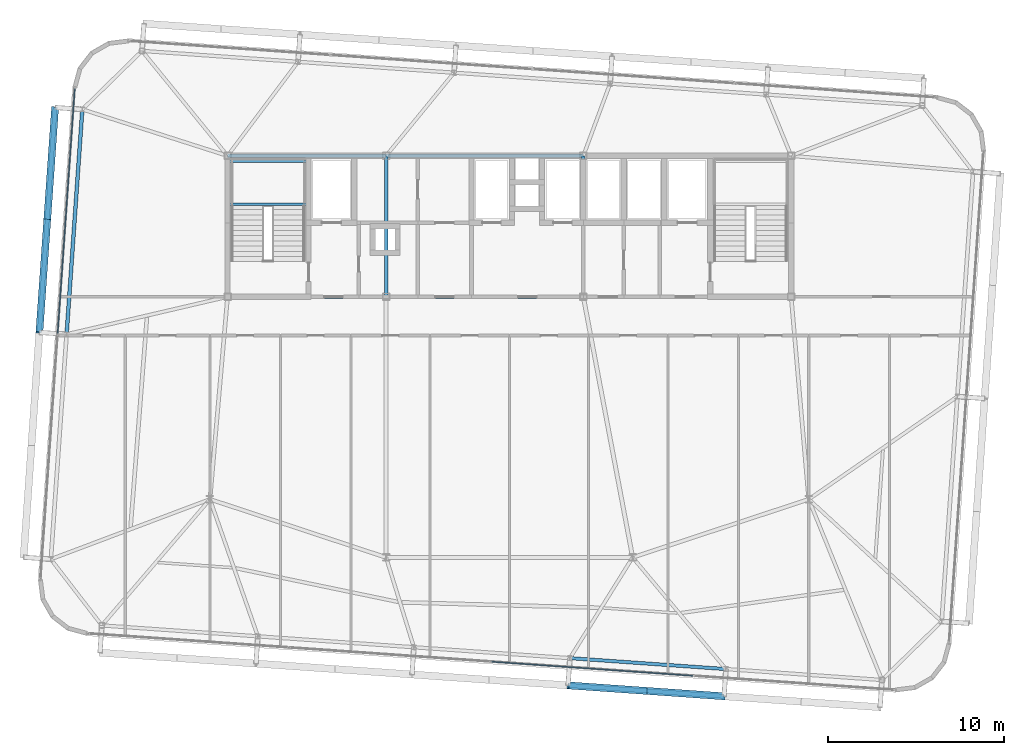
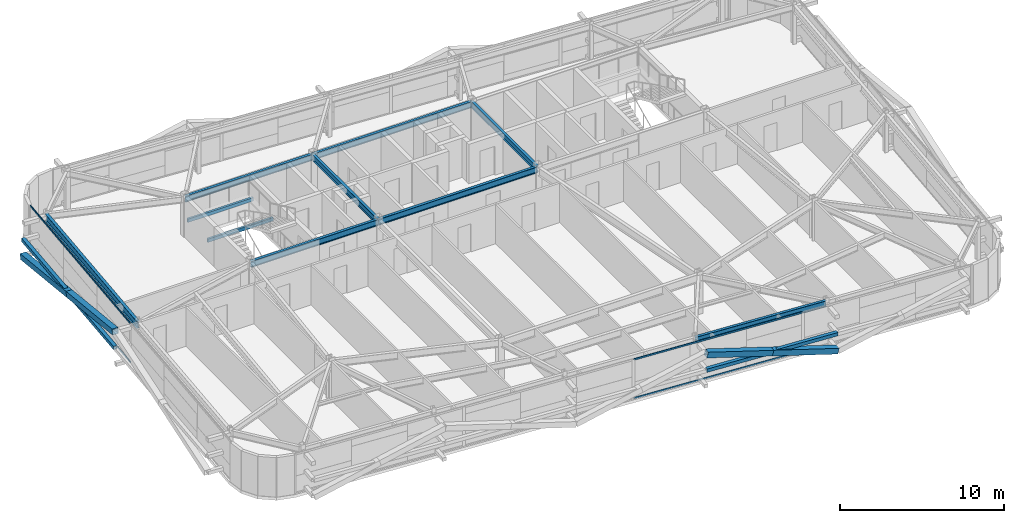
# One storey, part 12 of 39: 10 beams, 10 members, 2 elements without a shape of their own.
"""IFC4 building model written with IfcOpenShell, lengths in metres."""

from ifc_helpers import new_model, si_unit, direction, frame, origin, origin_2d, place, context, subcontext, project, spatial, hollow_rectangle, i_section, extrude, source, transform, mapped, material, layer, layer_set, material_profile, profile_set, type_object, element, aggregate, save


model = new_model("IFC4")

# Units and contexts
model_context = context("Model", 3, precision=1e-05, world=origin(), true_north=direction((0.0, 1.0)))
body_context = subcontext(model_context, "Body", "Model", "MODEL_VIEW")
ifc_project = project(units=[si_unit("LENGTHUNIT", "METRE"), si_unit("AREAUNIT", "SQUARE_METRE"), si_unit("VOLUMEUNIT", "CUBIC_METRE"), si_unit("PLANEANGLEUNIT", "RADIAN"), si_unit("MASSUNIT", "GRAM", prefix="KILO")], contexts=[model_context])

# Site, building, storey
site_placement = place(None, origin())
site = spatial("IfcSite", under=ifc_project, at=site_placement, CompositionType="ELEMENT")
building_placement = place(site_placement, origin())
building = spatial("IfcBuilding", under=site, at=building_placement, Name="Taldren Reach Tower", CompositionType="ELEMENT")
storey_placement = place(building_placement, frame((0.0, 0.0, 158.199951171875)))
storey = spatial("IfcBuildingStorey", under=building, at=storey_placement, Name="L48", CompositionType="ELEMENT", Elevation=158.199951171875)

# Beams
ifc_material_1 = material(Name="Steel Gr 350 (350PLUS)", Category="steel")
ifc_material_profile_1 = material_profile(ifc_material_1, i_section(OverallWidth=0.19091796875, OverallDepth=0.4599609375, WebThickness=0.010009765625, FlangeThickness=0.01611328125, at=origin_2d()), Name="460UB82.1")
ifc_profile_set_1 = profile_set([ifc_material_profile_1], Name="Steel Gr 350 (350PLUS)")
beam_type_1 = type_object("IfcBeamType", Name="BM-UB460A", PredefinedType="BEAM", material=ifc_profile_set_1)
shared_shape_1 = source(origin(), body_context, "Body", "SweptSolid", [
    extrude(i_section(OverallWidth=0.19091796875, OverallDepth=0.4599609375, WebThickness=0.010009765625, FlangeThickness=0.01611328125, at=origin_2d()), origin(), (0.0, 0.0, 1.0), 9.0),
])
for number, where, z_axis, x_axis, name in (
    (1, (19.0, 24.0, 2.699951171875), (1.0, 0.0, 0.0), (0.0, 1.0, 0.0), "Core-spine girder L48-SP01"),
    (2, (19.0, 32.0, 2.699951171875), (1.0, 0.0, 0.0), (0.0, 1.0, 0.0), "Core-spine girder L48-SP04"),
):
    element("IfcBeam", number, at=place(storey_placement, frame(where, z_axis=z_axis, x_axis=x_axis)), inside=storey, type_object=beam_type_1, Name=name, PredefinedType="BEAM", context=body_context, shape_type="MappedRepresentation", body=[
        mapped(shared_shape_1, transform((0.0, 0.0, 0.0), scale=1.0)),
    ])
shared_shape_2 = source(origin(), body_context, "Body", "SweptSolid", [
    extrude(i_section(OverallWidth=0.19091796875, OverallDepth=0.4599609375, WebThickness=0.010009765625, FlangeThickness=0.01611328125, at=origin_2d()), origin(), (0.0, 0.0, 1.0), 11.199951171875),
])
for number, where, z_axis, x_axis, name in (
    (3, (28.0, 24.0, 2.699951171875), (1.0, 0.0, 0.0), (0.0, 1.0, 0.0), "Core-spine girder L48-SP02"),
    (4, (28.0, 32.0, 2.699951171875), (1.0, 0.0, 0.0), (0.0, 1.0, 0.0), "Core-spine girder L48-SP05"),
):
    element("IfcBeam", number, at=place(storey_placement, frame(where, z_axis=z_axis, x_axis=x_axis)), inside=storey, type_object=beam_type_1, Name=name, PredefinedType="BEAM", context=body_context, shape_type="MappedRepresentation", body=[
        mapped(shared_shape_2, transform((0.0, 0.0, 0.0), scale=1.0)),
    ])
shared_shape_3 = source(origin(), body_context, "Body", "SweptSolid", [
    extrude(i_section(OverallWidth=0.19091796875, OverallDepth=0.4599609375, WebThickness=0.010009765625, FlangeThickness=0.01611328125, at=origin_2d()), origin(), (0.0, 0.0, 1.0), 8.0),
])
for number, where, z_axis, x_axis, name in (
    (5, (28.0, 24.0, 2.699951171875), (0.0, 1.0, 0.0), (-1.0, 0.0, 0.0), "Core-spine girder L48-SP07"),
    (6, (39.199951171875, 24.0, 2.699951171875), (0.0, 1.0, 0.0), (-1.0, 0.0, 0.0), "Core-spine girder L48-SP08"),
):
    element("IfcBeam", number, at=place(storey_placement, frame(where, z_axis=z_axis, x_axis=x_axis)), inside=storey, type_object=beam_type_1, Name=name, PredefinedType="BEAM", context=body_context, shape_type="MappedRepresentation", body=[
        mapped(shared_shape_3, transform((0.0, 0.0, 0.0), scale=1.0)),
    ])
ifc_material_profile_2 = material_profile(ifc_material_1, i_section(OverallWidth=0.18994140625, OverallDepth=0.4541015625, WebThickness=0.008544921875, FlangeThickness=0.0126953125, at=origin_2d()), Name="460UB67.1")
ifc_profile_set_2 = profile_set([ifc_material_profile_2], Name="Steel Gr 350 (350PLUS)")
beam_type_2 = type_object("IfcBeamType", Name="SP-UB460B", PredefinedType="SPANDREL", material=ifc_profile_set_2)
shared_shape_4 = source(origin(), body_context, "Body", "SweptSolid", [
    extrude(i_section(OverallWidth=0.18994140625, OverallDepth=0.4541015625, WebThickness=0.008544921875, FlangeThickness=0.0126953125, at=origin_2d()), origin(), (0.0, 0.0, 1.0), 8.880126953125),
])
beam_1_placement = place(storey_placement, frame((38.438720703125, 3.480224609375, 2.703125), z_axis=(0.997562566276, -0.06977769246, 0.0), x_axis=(0.06977769246, 0.997562566276, 0.0)))
element("IfcBeam", 7, at=beam_1_placement, inside=storey, type_object=beam_type_2, Name="Perimeter spandrel B3 S4-S5 L48", PredefinedType="SPANDREL", context=body_context, shape_type="MappedRepresentation", body=[
    mapped(shared_shape_4, transform((0.0, 0.0, 0.0), scale=1.0)),
])
ifc_material_profile_3 = material_profile(ifc_material_1, i_section(OverallWidth=0.208984375, OverallDepth=0.528076171875, WebThickness=0.009521484375, FlangeThickness=0.01318359375, at=origin_2d()), Name="530UB82.0")
ifc_profile_set_3 = profile_set([ifc_material_profile_3], Name="Steel Gr 350 (350PLUS)")
beam_type_3 = type_object("IfcBeamType", Name="SP-UB530B", PredefinedType="SPANDREL", material=ifc_profile_set_3)
shared_shape_5 = source(origin(), body_context, "Body", "SweptSolid", [
    extrude(i_section(OverallWidth=0.208984375, OverallDepth=0.528076171875, WebThickness=0.009521484375, FlangeThickness=0.01318359375, at=origin_2d()), origin(), (0.0, 0.0, 1.0), 12.800048828125),
])
beam_2_placement = place(storey_placement, frame((10.754638671875, 34.63720703125, 2.666015625), z_axis=(-0.069751876777, -0.9975643717, 0.0), x_axis=(0.9975643717, -0.069751876777, 0.0)))
element("IfcBeam", 8, at=beam_2_placement, inside=storey, type_object=beam_type_3, Name="Perimeter spandrel B3 W3-W2 L48", PredefinedType="SPANDREL", context=body_context, shape_type="MappedRepresentation", body=[
    mapped(shared_shape_5, transform((0.0, 0.0, 0.0), scale=1.0)),
])

# Members
ifc_material_2 = material(Name="Steel Gr 350 (C350L0)", Category="steel")
ifc_material_profile_4 = material_profile(ifc_material_2, hollow_rectangle(XDim=0.25, YDim=0.25, WallThickness=0.010009765625, at=origin_2d()), Name="250x250x10.0SHS")
ifc_profile_set_4 = profile_set([ifc_material_profile_4], Name="Steel Gr 350 (C350L0)")
member_type_1 = type_object("IfcMemberType", Name="MB-POST250", PredefinedType="POST", material=ifc_profile_set_4)
shared_shape_6 = source(origin(), body_context, "Body", "SweptSolid", [
    extrude(hollow_rectangle(XDim=0.25, YDim=0.25, WallThickness=0.010009765625, at=origin_2d()), origin(), (0.0, 0.0, 1.0), 8.880126953125),
])
member_1_placement = place(storey_placement, frame((38.33056640625, 1.933837890625, 1.43505859375), z_axis=(0.997564479639, -0.069750333063, 0.0), x_axis=(0.069750333063, 0.997564479639, 0.0)))
element("IfcMember", 9, at=member_1_placement, inside=storey, type_object=member_type_1, Name="Exoskeleton mid-height ring chord B3-S4 L48", PredefinedType="POST", context=body_context, shape_type="MappedRepresentation", body=[
    mapped(shared_shape_6, transform((0.0, 0.0, 0.0), scale=1.0)),
])
shared_shape_7 = source(origin(), body_context, "Body", "SweptSolid", [
    extrude(hollow_rectangle(XDim=0.25, YDim=0.25, WallThickness=0.010009765625, at=origin_2d()), origin(), (0.0, 0.0, 1.0), 12.800048828125),
])
member_2_placement = place(storey_placement, frame((8.3154296875, 21.9765625, 1.43505859375), z_axis=(0.069770857464, 0.997563044348, 0.0), x_axis=(-0.997563044348, 0.069770857464, 0.0)))
element("IfcMember", 10, at=member_2_placement, inside=storey, type_object=member_type_1, Name="Exoskeleton mid-height ring chord B3-W2 L48", PredefinedType="POST", context=body_context, shape_type="MappedRepresentation", body=[
    mapped(shared_shape_7, transform((0.0, 0.0, 0.0), scale=1.0)),
])
ifc_material_3 = material(Name="Steel Gr 450 (C450L0)", Category="steel")
ifc_material_profile_5 = material_profile(ifc_material_3, hollow_rectangle(XDim=0.409912109375, YDim=0.409912109375, WallThickness=0.01611328125, at=origin_2d()), Name="410x410x16.0SHS")
ifc_profile_set_5 = profile_set([ifc_material_profile_5], Name="Steel Gr 450 (C450L0)")
member_type_2 = type_object("IfcMemberType", Name="MB-EXO406", PredefinedType="BRACE", material=ifc_profile_set_5)
shared_shape_8 = source(origin(), body_context, "Body", "SweptSolid", [
    extrude(hollow_rectangle(XDim=0.409912109375, YDim=0.409912109375, WallThickness=0.01611328125, at=origin_2d()), origin(), (0.0, 0.0, 1.0), 4.603271484375),
])
for number, where, z_axis, x_axis, name in (
    (11, (47.18896484375, 1.314453125, 0.219970703125), (-0.962182351074, 0.067302910567, 0.263961060594), (-0.06977769246, -0.997562566276, 0.0), "Exoskeleton Diagrid Brace B3-S4 L48"),
    (12, (42.759765625, 1.624267578125, 1.43505859375), (-0.962185784239, 0.067250114343, 0.263962002434), (-0.069722973508, -0.997566392259, 0.0), "Exoskeleton Diagrid Brace B3-S4 L48"),
):
    element("IfcMember", number, at=place(storey_placement, frame(where, z_axis=z_axis, x_axis=x_axis)), inside=storey, type_object=member_type_2, Name=name, PredefinedType="BRACE", context=body_context, shape_type="MappedRepresentation", body=[
        mapped(shared_shape_8, transform((0.0, 0.0, 0.0), scale=1.0)),
    ])
shared_shape_9 = source(origin(), body_context, "Body", "SweptSolid", [
    extrude(hollow_rectangle(XDim=0.409912109375, YDim=0.409912109375, WallThickness=0.01611328125, at=origin_2d()), origin(), (0.0, 0.0, 1.0), 6.514404296875),
])
member_3_placement = place(storey_placement, frame((9.20849609375, 34.745361328125, 0.219970703125), z_axis=(-0.068545126831, -0.980056649402, 0.186522195865), x_axis=(0.997563137195, -0.069769529958, 0.0)))
element("IfcMember", 13, at=member_3_placement, inside=storey, type_object=member_type_2, Name="Exoskeleton Diagrid Brace B3-W2 L48", PredefinedType="BRACE", context=body_context, shape_type="MappedRepresentation", body=[
    mapped(shared_shape_9, transform((0.0, 0.0, 0.0), scale=1.0)),
])
shared_shape_10 = source(origin(), body_context, "Body", "SweptSolid", [
    extrude(hollow_rectangle(XDim=0.409912109375, YDim=0.409912109375, WallThickness=0.01611328125, at=origin_2d()), origin(), (0.0, 0.0, 1.0), 6.51416015625),
])
member_4_placement = place(storey_placement, frame((8.761962890625, 28.36083984375, 1.43505859375), z_axis=(-0.068547644544, -0.980055169399, 0.186529046964), x_axis=(0.997562951496, -0.069772185021, 0.0)))
element("IfcMember", 14, at=member_4_placement, inside=storey, type_object=member_type_2, Name="Exoskeleton Diagrid Brace B3-W2 L48", PredefinedType="BRACE", context=body_context, shape_type="MappedRepresentation", body=[
    mapped(shared_shape_10, transform((0.0, 0.0, 0.0), scale=1.0)),
])

# Curtain wall, members
ifc_material_4 = material(Name="Aluminium and Low-E Glass Unitised System", Category="aluminium")
ifc_layer = layer(ifc_material_4, 0.159912109375)
ifc_layer_set = layer_set([ifc_layer], Name="Aluminium and Low-E Glass Unitised System")
curtain_wall_type = type_object("IfcCurtainWallType", Name="CW-SYS-4", PredefinedType="NOTDEFINED", material=ifc_layer_set)
curtain_wall_1_placement = place(storey_placement, origin())
curtain_wall_1 = element("IfcCurtainWall", 15, at=curtain_wall_1_placement, inside=storey, type_object=curtain_wall_type, Name="Unitised curtain wall CW-L48-S", PredefinedType="NOTDEFINED")
ifc_material_5 = material(Name="Anodised Aluminium 6063-T6", Category="aluminium")
ifc_material_profile_6 = material_profile(ifc_material_5, hollow_rectangle(XDim=0.054931640625, YDim=0.1201171875, WallThickness=0.0029296875, at=origin_2d()), Name="ALU-120x55x3RHS")
ifc_profile_set_6 = profile_set([ifc_material_profile_6], Name="Anodised Aluminium 6063-T6")
member_type_3 = type_object("IfcMemberType", Name="CW-TRN-135", PredefinedType="USERDEFINED", material=ifc_profile_set_6)
shared_shape_11 = source(origin(), body_context, "Body", "SweptSolid", [
    extrude(hollow_rectangle(XDim=0.054931640625, YDim=0.1201171875, WallThickness=0.0029296875, at=origin_2d()), origin(), (0.0, 0.0, 1.0), 11.429931640625),
])
member_5_placement = place(storey_placement, frame((34.0087890625, 3.278564453125, 0.027587890625), z_axis=(0.997563740938, -0.069760897114, 0.0), x_axis=(0.069760897114, 0.997563740938, 0.0)))
member_5 = element("IfcMember", 16, at=member_5_placement, type_object=member_type_3, Name="CW-4 transom 3.1", ObjectType="TRANSOM", PredefinedType="USERDEFINED", context=body_context, shape_type="MappedRepresentation", body=[
    mapped(shared_shape_11, transform((0.0, 0.0, 0.0), scale=1.0)),
])
member_6_placement = place(storey_placement, frame((34.0087890625, 3.278564453125, 2.902587890625), z_axis=(0.997563740938, -0.069760897114, 0.0), x_axis=(0.069760897114, 0.997563740938, 0.0)))
member_6 = element("IfcMember", 17, at=member_6_placement, type_object=member_type_3, Name="CW-4 transom 3.2", ObjectType="TRANSOM", PredefinedType="USERDEFINED", context=body_context, shape_type="MappedRepresentation", body=[
    mapped(shared_shape_11, transform((0.0, 0.0, 0.0), scale=1.0)),
])
aggregate(curtain_wall_1, [member_5, member_6])

curtain_wall_2_placement = place(storey_placement, origin())
curtain_wall_2 = element("IfcCurtainWall", 18, at=curtain_wall_2_placement, inside=storey, type_object=curtain_wall_type, Name="Unitised curtain wall CW-L48-W", PredefinedType="NOTDEFINED")
shared_shape_12 = source(origin(), body_context, "Body", "SweptSolid", [
    extrude(hollow_rectangle(XDim=0.054931640625, YDim=0.1201171875, WallThickness=0.0029296875, at=origin_2d()), origin(), (0.0, 0.0, 1.0), 13.895263671875),
])
member_7_placement = place(storey_placement, frame((10.32470703125, 35.800048828125, 0.027587890625), z_axis=(-0.069753594456, -0.997564251595, 0.0), x_axis=(0.997564251595, -0.069753594456, 0.0)))
member_7 = element("IfcMember", 19, at=member_7_placement, type_object=member_type_3, Name="CW-4 transom 1.1", ObjectType="TRANSOM", PredefinedType="USERDEFINED", context=body_context, shape_type="MappedRepresentation", body=[
    mapped(shared_shape_12, transform((0.0, 0.0, 0.0), scale=1.0)),
])
member_8_placement = place(storey_placement, frame((10.32470703125, 35.800048828125, 2.902587890625), z_axis=(-0.069753594456, -0.997564251595, 0.0), x_axis=(0.997564251595, -0.069753594456, 0.0)))
member_8 = element("IfcMember", 20, at=member_8_placement, type_object=member_type_3, Name="CW-4 transom 1.2", ObjectType="TRANSOM", PredefinedType="USERDEFINED", context=body_context, shape_type="MappedRepresentation", body=[
    mapped(shared_shape_12, transform((0.0, 0.0, 0.0), scale=1.0)),
])
aggregate(curtain_wall_2, [member_7, member_8])

# Beams
ifc_material_profile_7 = material_profile(ifc_material_2, hollow_rectangle(XDim=0.14990234375, YDim=0.25, WallThickness=0.009033203125, at=origin_2d()), Name="250x150x9.0RHS")
ifc_profile_set_7 = profile_set([ifc_material_profile_7], Name="Steel Gr 350 (C350L0)")
beam_type_4 = type_object("IfcBeamType", Name="LN-RHS250", PredefinedType="LINTEL", material=ifc_profile_set_7)
shared_shape_13 = source(origin(), body_context, "Body", "SweptSolid", [
    extrude(hollow_rectangle(XDim=0.14990234375, YDim=0.25, WallThickness=0.009033203125, at=origin_2d()), origin(), (0.0, 0.0, 1.0), 4.60009765625),
])
for number, where, z_axis, x_axis, name in (
    (21, (19.0, 29.2548828125, 1.27001953125), (1.0, 0.0, 0.0), (0.0, 1.0, 0.0), "Stair half-landing support beam ST1-L48-1"),
    (22, (19.0, 31.699951171875, 1.27001953125), (1.0, 0.0, 0.0), (0.0, 1.0, 0.0), "Stair half-landing support beam ST1-L48-2"),
):
    element("IfcBeam", number, at=place(storey_placement, frame(where, z_axis=z_axis, x_axis=x_axis)), inside=storey, type_object=beam_type_4, Name=name, PredefinedType="LINTEL", context=body_context, shape_type="MappedRepresentation", body=[
        mapped(shared_shape_13, transform((0.0, 0.0, 0.0), scale=1.0)),
    ])

save(model, "model.ifc")
